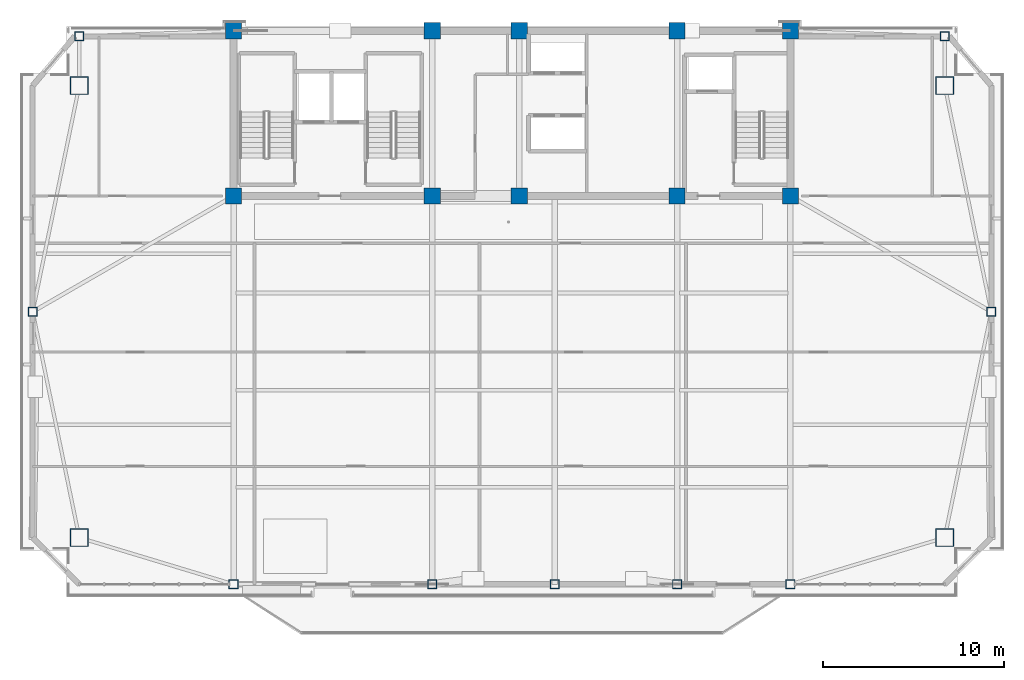
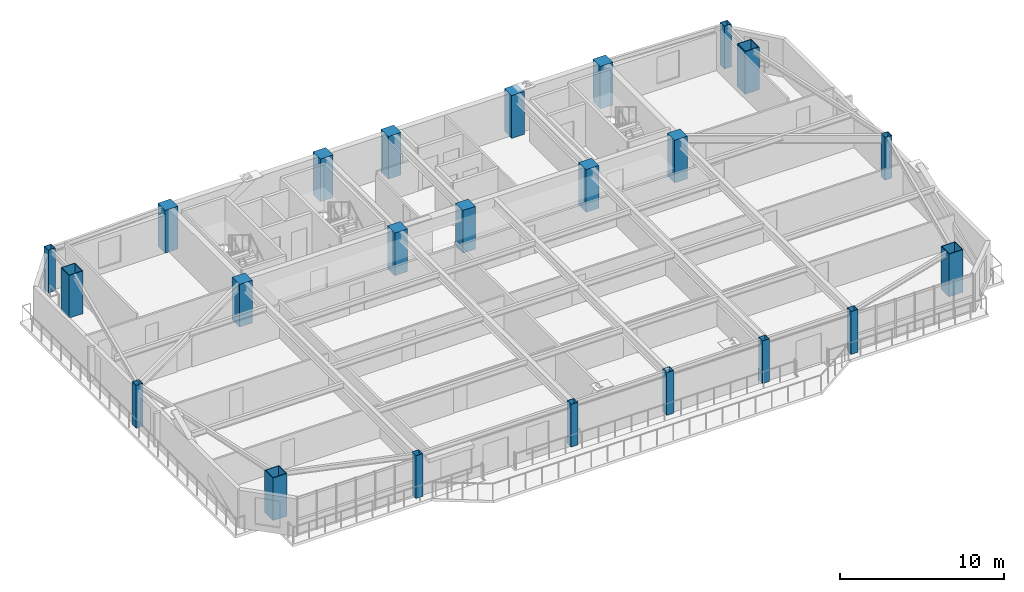
# One storey, part 1 of 18: 23 columns.
"""IFC4 building model written with IfcOpenShell, lengths in metres."""

from ifc_helpers import new_model, si_unit, direction, frame, origin, origin_2d, place, context, subcontext, project, spatial, rectangle, hollow_rectangle, extrude, source, transform, mapped, material, material_profile, profile_set, type_object, element, save


model = new_model("IFC4")

# Units and contexts
model_context = context("Model", 3, precision=1e-05, world=origin(), true_north=direction((0.0, 1.0)))
body_context = subcontext(model_context, "Body", "Model", "MODEL_VIEW")
ifc_project = project(units=[si_unit("LENGTHUNIT", "METRE"), si_unit("AREAUNIT", "SQUARE_METRE"), si_unit("VOLUMEUNIT", "CUBIC_METRE"), si_unit("PLANEANGLEUNIT", "RADIAN"), si_unit("MASSUNIT", "GRAM", prefix="KILO")], contexts=[model_context])

# Site, building, storey
site_placement = place(None, origin())
site = spatial("IfcSite", under=ifc_project, at=site_placement, CompositionType="ELEMENT")
building_placement = place(site_placement, origin())
building = spatial("IfcBuilding", under=site, at=building_placement, Name="Giltprow Tower", CompositionType="ELEMENT")
storey_placement = place(building_placement, frame((0.0, 0.0, 258.699951171875)))
storey = spatial("IfcBuildingStorey", under=building, at=storey_placement, Name="L66", CompositionType="ELEMENT", Elevation=258.699951171875)

# Columns
ifc_material_1 = material(Name="Structural steel Q420GJC", Category="steel")
ifc_material_profile_1 = material_profile(ifc_material_1, hollow_rectangle(XDim=1.0, YDim=1.0, WallThickness=0.044921875, at=origin_2d()), Name="BOX 1000x1000x45")
ifc_profile_set_1 = profile_set([ifc_material_profile_1], Name="Structural steel Q420GJC")
column_type_1 = type_object("IfcColumnType", Name="COL-BOX-1000x1000x45", PredefinedType="COLUMN", material=ifc_profile_set_1)
shared_shape_1 = source(origin(), body_context, "Body", "SweptSolid", [
    extrude(hollow_rectangle(XDim=1.0, YDim=1.0, WallThickness=0.044921875, at=origin_2d()), origin(), (0.0, 0.0, 1.0), 3.18505859375),
])
for number, where, z_axis, x_axis, name in (
    (1, (11.347900390625, 18.614013671875, 0.0), (0.0, 0.0, 1.0), (1.0, 0.0, 0.0), "L66 Mega-Column MC_SW"),
    (2, (59.052978515625, 18.614013671875, 0.0), (0.0, 0.0, 1.0), (1.0, 0.0, 0.0), "L66 Mega-Column MC_SE"),
    (3, (11.347900390625, 43.530029296875, 0.0), (0.0, 0.0, 1.0), (1.0, 0.0, 0.0), "L66 Mega-Column MC_NW"),
    (4, (59.052978515625, 43.530029296875, 0.0), (0.0, 0.0, 1.0), (1.0, 0.0, 0.0), "L66 Mega-Column MC_NE"),
):
    element("IfcColumn", number, at=place(storey_placement, frame(where, z_axis=z_axis, x_axis=x_axis)), inside=storey, type_object=column_type_1, Name=name, PredefinedType="COLUMN", context=body_context, shape_type="MappedRepresentation", body=[
        mapped(shared_shape_1, transform((0.0, 0.0, 0.0), x_axis=(1.0, 0.0, 0.0), y_axis=(0.0, 1.0, 0.0), z_axis=(0.0, 0.0, 1.0), scale=1.0)),
    ])
ifc_material_2 = material(Name="Structural steel Q355B", Category="steel")
ifc_material_profile_2 = material_profile(ifc_material_2, hollow_rectangle(XDim=0.5, YDim=0.5, WallThickness=0.02392578125, at=origin_2d()), Name="BOX 500x500x24")
ifc_profile_set_2 = profile_set([ifc_material_profile_2], Name="Structural steel Q355B")
column_type_2 = type_object("IfcColumnType", Name="COL-BOX-500x500x24", PredefinedType="COLUMN", material=ifc_profile_set_2)
shared_shape_2 = source(origin(), body_context, "Body", "SweptSolid", [
    extrude(hollow_rectangle(XDim=0.5, YDim=0.5, WallThickness=0.02392578125, at=origin_2d()), origin(), (0.0, 0.0, 1.0), 3.18505859375),
])
for number, where, z_axis, x_axis, name in (
    (5, (19.85009765625, 16.044921875, 0.0), (0.0, 0.0, 1.0), (1.0, 0.0, 0.0), "L66 Perimeter Column S1"),
    (6, (30.800048828125, 16.044921875, 0.0), (0.0, 0.0, 1.0), (1.0, 0.0, 0.0), "L66 Perimeter Column S2"),
    (7, (37.550048828125, 16.044921875, 0.0), (0.0, 0.0, 1.0), (1.0, 0.0, 0.0), "L66 Perimeter Column S_MID"),
    (8, (44.300048828125, 16.044921875, 0.0), (0.0, 0.0, 1.0), (1.0, 0.0, 0.0), "L66 Perimeter Column S3"),
    (9, (50.550048828125, 16.044921875, 0.0), (0.0, 0.0, 1.0), (1.0, 0.0, 0.0), "L66 Perimeter Column S4"),
    (10, (8.779052734375, 31.072021484375, 0.0), (0.0, 0.0, 1.0), (1.0, 0.0, 0.0), "L66 Perimeter Column W_MID"),
    (11, (61.6220703125, 31.072021484375, 0.0), (0.0, 0.0, 1.0), (1.0, 0.0, 0.0), "L66 Perimeter Column E_MID"),
    (12, (11.347900390625, 46.25, 0.0), (0.0, 0.0, 1.0), (1.0, 0.0, 0.0), "L66 Perimeter Column N_W"),
    (13, (59.052978515625, 46.25, 0.0), (0.0, 0.0, 1.0), (1.0, 0.0, 0.0), "L66 Perimeter Column N_E"),
):
    element("IfcColumn", number, at=place(storey_placement, frame(where, z_axis=z_axis, x_axis=x_axis)), inside=storey, type_object=column_type_2, Name=name, PredefinedType="COLUMN", context=body_context, shape_type="MappedRepresentation", body=[
        mapped(shared_shape_2, transform((0.0, 0.0, 0.0), x_axis=(1.0, 0.0, 0.0), y_axis=(0.0, 1.0, 0.0), z_axis=(0.0, 0.0, 1.0), scale=1.0)),
    ])
ifc_material_3 = material(Name="Concrete C45", Category="concrete")
ifc_material_profile_3 = material_profile(ifc_material_3, rectangle(XDim=0.89990234375, YDim=0.89990234375, at=origin_2d()), Name="RC 900x900")
ifc_profile_set_3 = profile_set([ifc_material_profile_3], Name="Concrete C45")
column_type_3 = type_object("IfcColumnType", Name="PIL-RC-900-C45", PredefinedType="PILASTER", material=ifc_profile_set_3)
shared_shape_3 = source(origin(), body_context, "Body", "SweptSolid", [
    extrude(rectangle(XDim=0.89990234375, YDim=0.89990234375, at=origin_2d()), origin(), (0.0, 0.0, 1.0), 3.18505859375),
])
for number, where, z_axis, x_axis, name in (
    (14, (19.85009765625, 37.449951171875, 0.0), (0.0, 0.0, 1.0), (1.0, 0.0, 0.0), "L66 Core Boundary Pilaster 1-1"),
    (15, (19.85009765625, 46.550048828125, 0.0), (0.0, 0.0, 1.0), (1.0, 0.0, 0.0), "L66 Core Boundary Pilaster 1-2"),
    (16, (30.800048828125, 37.449951171875, 0.0), (0.0, 0.0, 1.0), (1.0, 0.0, 0.0), "L66 Core Boundary Pilaster 2-1"),
    (17, (30.800048828125, 46.550048828125, 0.0), (0.0, 0.0, 1.0), (1.0, 0.0, 0.0), "L66 Core Boundary Pilaster 2-2"),
    (18, (35.60009765625, 37.449951171875, 0.0), (0.0, 0.0, 1.0), (1.0, 0.0, 0.0), "L66 Core Boundary Pilaster 3-1"),
    (19, (35.60009765625, 46.550048828125, 0.0), (0.0, 0.0, 1.0), (1.0, 0.0, 0.0), "L66 Core Boundary Pilaster 3-2"),
    (20, (44.300048828125, 37.449951171875, 0.0), (0.0, 0.0, 1.0), (1.0, 0.0, 0.0), "L66 Core Boundary Pilaster 4-1"),
    (21, (44.300048828125, 46.550048828125, 0.0), (0.0, 0.0, 1.0), (1.0, 0.0, 0.0), "L66 Core Boundary Pilaster 4-2"),
    (22, (50.550048828125, 37.449951171875, 0.0), (0.0, 0.0, 1.0), (1.0, 0.0, 0.0), "L66 Core Boundary Pilaster 5-1"),
    (23, (50.550048828125, 46.550048828125, 0.0), (0.0, 0.0, 1.0), (1.0, 0.0, 0.0), "L66 Core Boundary Pilaster 5-2"),
):
    element("IfcColumn", number, at=place(storey_placement, frame(where, z_axis=z_axis, x_axis=x_axis)), inside=storey, type_object=column_type_3, Name=name, PredefinedType="PILASTER", context=body_context, shape_type="MappedRepresentation", body=[
        mapped(shared_shape_3, transform((0.0, 0.0, 0.0), x_axis=(1.0, 0.0, 0.0), y_axis=(0.0, 1.0, 0.0), z_axis=(0.0, 0.0, 1.0), scale=1.0)),
    ])

save(model, "model.ifc")
